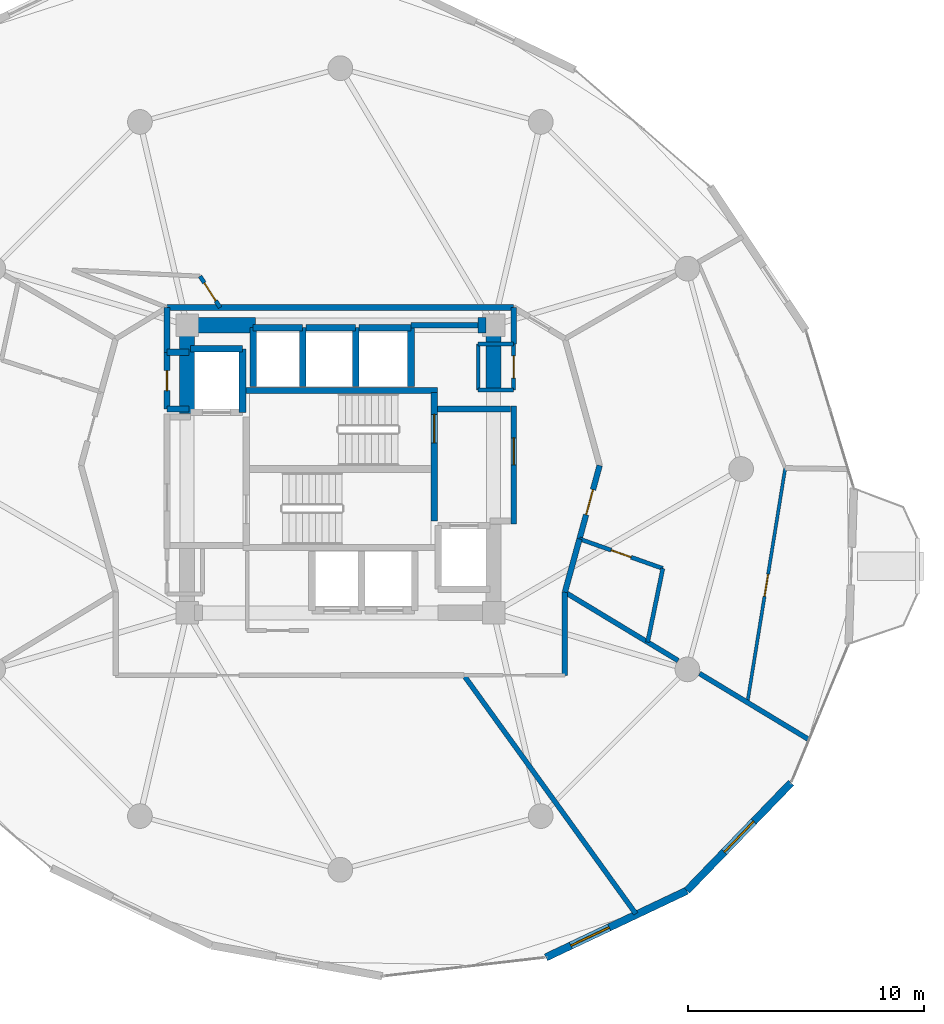
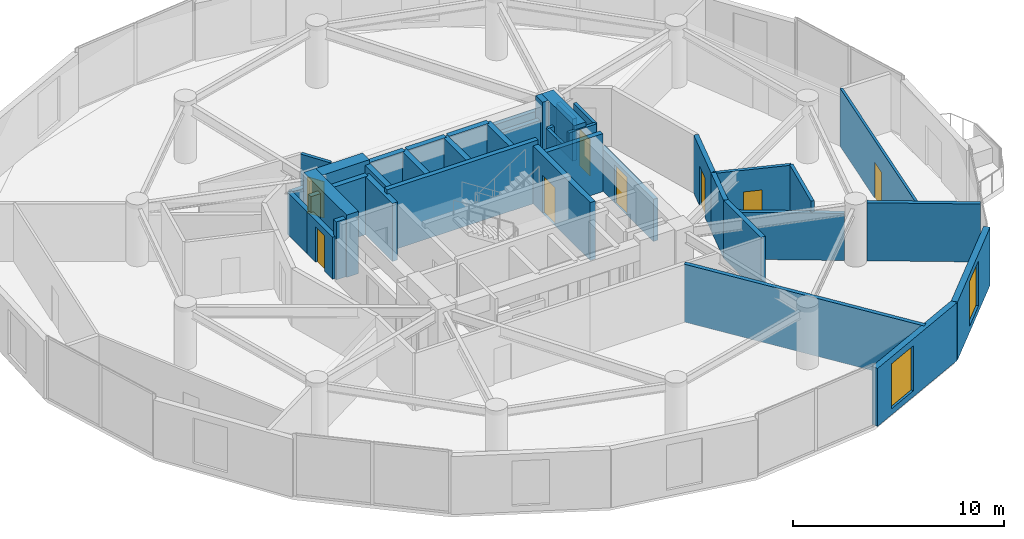
# One storey, part 22 of 26: 40 walls, 8 doors, 2 windows, 10 openings.
"""IFC4 building model written with IfcOpenShell, lengths in metres."""

from ifc_helpers import new_model, si_unit, direction, frame, frame_2d, origin, place, context, subcontext, project, spatial, rectangle, extrude, material, layer, layer_set, type_object, element, fill, save


model = new_model("IFC4")

# Units and contexts
model_context = context("Model", 3, precision=1e-05, world=origin(), true_north=direction((0.0, 1.0)))
body_context = subcontext(model_context, "Body", "Model", "MODEL_VIEW")
ifc_project = project(units=[si_unit("LENGTHUNIT", "METRE"), si_unit("AREAUNIT", "SQUARE_METRE"), si_unit("VOLUMEUNIT", "CUBIC_METRE"), si_unit("PLANEANGLEUNIT", "RADIAN"), si_unit("MASSUNIT", "GRAM", prefix="KILO")], contexts=[model_context])

# Site, building, storey
site_placement = place(None, origin())
site = spatial("IfcSite", under=ifc_project, at=site_placement, CompositionType="ELEMENT")
building_placement = place(site_placement, origin())
building = spatial("IfcBuilding", under=site, at=building_placement, Name="Solvirekh Grand Hotel", CompositionType="ELEMENT")
storey_placement = place(building_placement, frame((0.0, 0.0, 113.39990234375)))
storey = spatial("IfcBuildingStorey", under=building, at=storey_placement, Name="L28", CompositionType="ELEMENT", Elevation=113.39990234375)

# Walls
ifc_material_1 = material(Name="Concrete C50/60", Category="concrete")
ifc_layer_1 = layer(ifc_material_1, 0.35009765625)
ifc_layer_set_1 = layer_set([ifc_layer_1], Name="Concrete C50/60")
wall_type_1 = type_object("IfcWallType", Name="CoreDivWall_RC350", PredefinedType="SOLIDWALL", material=ifc_layer_set_1)
wall_1_placement = place(storey_placement, frame((-4.1298828125, 3.324951171875, 0.0), z_axis=(0.0, 0.0, 1.0), x_axis=(1.0, 0.0, 0.0)))
element("IfcWall", 1, at=wall_1_placement, inside=storey, type_object=wall_type_1, Name="L28 core stair box wall ST-N", PredefinedType="SOLIDWALL", context=body_context, shape_type="SweptSolid", body=[
    extrude(rectangle(XDim=8.259765625, YDim=0.25, at=frame_2d((4.1298828125, 0.0))), origin(), (0.0, 0.0, 1.0), 3.60009765625),
])
ifc_material_2 = material(Name="Concrete C40/50", Category="concrete")
ifc_layer_2 = layer(ifc_material_2, 0.280029296875)
ifc_layer_set_2 = layer_set([ifc_layer_2], Name="Concrete C40/50")
wall_type_2 = type_object("IfcWallType", Name="CoreShaftWall_RC280", PredefinedType="SOLIDWALL", material=ifc_layer_set_2)
wall_2_placement = place(storey_placement, frame((-1.60009765625, 6.0, 0.0), z_axis=(0.0, 0.0, 1.0), x_axis=(-1.0, 0.0, 0.0)))
element("IfcWall", 2, at=wall_2_placement, inside=storey, type_object=wall_type_2, Name="L28 HP-1 hoistway N wall", PredefinedType="SOLIDWALL", context=body_context, shape_type="SweptSolid", body=[
    extrude(rectangle(XDim=2.099853515625, YDim=0.280029296875, at=frame_2d((1.0498046875, 0.0))), origin(), (0.0, 0.0, 1.0), 3.35009765625),
])
for number, where, z_axis, x_axis, name in (
    (3, (-3.699951171875, 6.0, 0.0), (0.0, 0.0, 1.0), (0.0, -1.0, 0.0), "L28 HP-1 hoistway W wall"),
    (4, (-1.60009765625, 3.5, 0.0), (0.0, 0.0, 1.0), (0.0, 1.0, 0.0), "L28 HP-1 hoistway E wall"),
):
    element("IfcWall", number, at=place(storey_placement, frame(where, z_axis=z_axis, x_axis=x_axis)), inside=storey, type_object=wall_type_2, Name=name, PredefinedType="SOLIDWALL", context=body_context, shape_type="SweptSolid", body=[
        extrude(rectangle(XDim=2.5, YDim=0.280029296875, at=frame_2d((1.25, 0.0))), origin(), (0.0, 0.0, 1.0), 3.35009765625),
    ])
wall_3_placement = place(storey_placement, frame((0.64990234375, 6.0, 0.0), z_axis=(0.0, 0.0, 1.0), x_axis=(-1.0, 0.0, 0.0)))
element("IfcWall", 5, at=wall_3_placement, inside=storey, type_object=wall_type_2, Name="L28 HP-2 hoistway N wall", PredefinedType="SOLIDWALL", context=body_context, shape_type="SweptSolid", body=[
    extrude(rectangle(XDim=2.099853515625, YDim=0.280029296875, at=frame_2d((1.0498046875, 0.0))), origin(), (0.0, 0.0, 1.0), 3.35009765625),
])
wall_4_placement = place(storey_placement, frame((0.64990234375, 3.5, 0.0), z_axis=(0.0, 0.0, 1.0), x_axis=(0.0, 1.0, 0.0)))
element("IfcWall", 6, at=wall_4_placement, inside=storey, type_object=wall_type_2, Name="L28 HP-2 hoistway E wall", PredefinedType="SOLIDWALL", context=body_context, shape_type="SweptSolid", body=[
    extrude(rectangle(XDim=2.5, YDim=0.280029296875, at=frame_2d((1.25, 0.0))), origin(), (0.0, 0.0, 1.0), 3.35009765625),
])
wall_5_placement = place(storey_placement, frame((3.0, 6.0, 0.0), z_axis=(0.0, 0.0, 1.0), x_axis=(-1.0, 0.0, 0.0)))
element("IfcWall", 7, at=wall_5_placement, inside=storey, type_object=wall_type_2, Name="L28 EX-1 hoistway N wall", PredefinedType="SOLIDWALL", context=body_context, shape_type="SweptSolid", body=[
    extrude(rectangle(XDim=2.199951171875, YDim=0.280029296875, at=frame_2d((1.10009765625, 0.0))), origin(), (0.0, 0.0, 1.0), 3.35009765625),
])
wall_6_placement = place(storey_placement, frame((3.0, 3.5, 0.0), z_axis=(0.0, 0.0, 1.0), x_axis=(0.0, 1.0, 0.0)))
element("IfcWall", 8, at=wall_6_placement, inside=storey, type_object=wall_type_2, Name="L28 EX-1 hoistway E wall", PredefinedType="SOLIDWALL", context=body_context, shape_type="SweptSolid", body=[
    extrude(rectangle(XDim=2.5, YDim=0.280029296875, at=frame_2d((1.25, 0.0))), origin(), (0.0, 0.0, 1.0), 3.35009765625),
])
wall_7_placement = place(storey_placement, frame((-4.14990234375, 5.10009765625, 0.0), z_axis=(0.0, 0.0, 1.0), x_axis=(-1.0, 0.0, 0.0)))
element("IfcWall", 9, at=wall_7_placement, inside=storey, type_object=wall_type_2, Name="L28 FL-1 hoistway N wall", PredefinedType="SOLIDWALL", context=body_context, shape_type="SweptSolid", body=[
    extrude(rectangle(XDim=2.2001953125, YDim=0.280029296875, at=frame_2d((1.10009765625, 0.0))), origin(), (0.0, 0.0, 1.0), 3.35009765625),
])
wall_8_placement = place(storey_placement, frame((-4.14990234375, 2.39990234375, 0.0), z_axis=(0.0, 0.0, 1.0), x_axis=(0.0, 1.0, 0.0)))
element("IfcWall", 10, at=wall_8_placement, inside=storey, type_object=wall_type_2, Name="L28 FL-1 hoistway E wall", PredefinedType="SOLIDWALL", context=body_context, shape_type="SweptSolid", body=[
    extrude(rectangle(XDim=2.7001953125, YDim=0.280029296875, at=frame_2d((1.35009765625, 0.0))), origin(), (0.0, 0.0, 1.0), 3.35009765625),
])

# Wall, opening, door
wall_9_placement = place(storey_placement, frame((3.989990234375, -2.2099609375, 0.0), z_axis=(0.0, 0.0, 1.0), x_axis=(0.0, 1.0, 0.0)))
wall_9 = element("IfcWall", 11, at=wall_9_placement, inside=storey, type_object=wall_type_2, Name="L28 east stair landing enclosure wall", PredefinedType="SOLIDWALL", context=body_context, shape_type="SweptSolid", body=[
    extrude(rectangle(XDim=5.4599609375, YDim=0.280029296875, at=frame_2d((2.72998046875, 0.0))), origin(), (0.0, 0.0, 1.0), 3.35009765625),
])
opening_1_placement = place(wall_9_placement, frame((3.322998046875, 0.0, 0.0)))
opening_1 = element("IfcOpeningElement", 12, at=opening_1_placement, cuts=wall_9, Name="Opening D05", PredefinedType="OPENING", context=body_context, shape_type="SweptSolid", body=[
    extrude(rectangle(XDim=1.199951171875, YDim=2.199951171875, at=frame_2d((0.60009765625, 1.10009765625))), frame((0.0, 0.14990234375, 0.0), z_axis=(0.0, -1.0, 0.0), x_axis=(1.0, 0.0, 0.0)), (0.0, 0.0, 1.0), 0.300048828125),
])
ifc_material_3 = material(Name="Fire-Rated Steel Door Assembly", Category="steel")
door_type_1 = type_object("IfcDoorType", Name="Door_StairCore_1200X2200", OperationType="NOTDEFINED", PredefinedType="DOOR", material=ifc_material_3)
door_1_placement = place(opening_1_placement, origin())
door_1 = element("IfcDoor", 13, at=door_1_placement, inside=storey, type_object=door_type_1, Name="L28 exit stair ST-2 fire door", OperationType="SINGLE_SWING_LEFT", OverallHeight=2.199951171875, OverallWidth=1.199951171875, PredefinedType="DOOR", context=body_context, shape_type="SweptSolid", body=[
    extrude(rectangle(XDim=1.199951171875, YDim=2.199951171875, at=frame_2d((0.60009765625, 1.10009765625))), frame((0.0, 0.02490234375, 0.0), z_axis=(0.0, -1.0, 0.0), x_axis=(1.0, 0.0, 0.0)), (0.0, 0.0, 1.0), 0.050048828125),
])
fill(opening_1, door_1)

# Walls
ifc_layer_3 = layer(ifc_material_1, 0.64990234375)
ifc_layer_set_3 = layer_set([ifc_layer_3], Name="Concrete C50/60")
wall_type_3 = type_object("IfcWallType", Name="CoreWall_RC650", PredefinedType="SHEAR", material=ifc_layer_set_3)
wall_10_placement = place(storey_placement, frame((-6.175048828125, 6.10009765625, 0.0), z_axis=(0.0, 0.0, 1.0), x_axis=(1.0, 0.0, 0.0)))
element("IfcWall", 14, at=wall_10_placement, inside=storey, type_object=wall_type_3, Name="L28 core corner shear wall NW-N", PredefinedType="SHEAR", context=body_context, shape_type="SweptSolid", body=[
    extrude(rectangle(XDim=2.574951171875, YDim=0.64990234375, at=frame_2d((1.28759765625, 0.0))), origin(), (0.0, 0.0, 1.0), 3.60009765625),
])
wall_11_placement = place(storey_placement, frame((5.85009765625, 6.10009765625, 0.0), z_axis=(0.0, 0.0, 1.0), x_axis=(1.0, 0.0, 0.0)))
element("IfcWall", 15, at=wall_11_placement, inside=storey, type_object=wall_type_3, Name="L28 core corner shear wall NE-N", PredefinedType="SHEAR", context=body_context, shape_type="SweptSolid", body=[
    extrude(rectangle(XDim=0.324951171875, YDim=0.64990234375, at=frame_2d((0.16259765625, 0.0))), origin(), (0.0, 0.0, 1.0), 3.60009765625),
])
wall_12_placement = place(storey_placement, frame((-6.5, 2.35009765625, 0.0), z_axis=(0.0, 0.0, 1.0), x_axis=(0.0, 1.0, 0.0)))
element("IfcWall", 16, at=wall_12_placement, inside=storey, type_object=wall_type_3, Name="L28 core corner shear wall WN-W", PredefinedType="SHEAR", context=body_context, shape_type="SweptSolid", body=[
    extrude(rectangle(XDim=4.074951171875, YDim=0.64990234375, at=frame_2d((2.03759765625, 0.0))), origin(), (0.0, 0.0, 1.0), 3.60009765625),
])
wall_13_placement = place(storey_placement, frame((6.5, 3.35009765625, 0.0), z_axis=(0.0, 0.0, 1.0), x_axis=(0.0, 1.0, 0.0)))
element("IfcWall", 17, at=wall_13_placement, inside=storey, type_object=wall_type_3, Name="L28 core corner shear wall EN-E", PredefinedType="SHEAR", context=body_context, shape_type="SweptSolid", body=[
    extrude(rectangle(XDim=3.074951171875, YDim=0.64990234375, at=frame_2d((1.53759765625, 0.0))), origin(), (0.0, 0.0, 1.0), 3.60009765625),
])

# Wall, opening, window
ifc_material_4 = material(Name="Precast concrete C45/55", Category="concrete")
ifc_layer_4 = layer(ifc_material_4, 0.320068359375)
ifc_layer_set_4 = layer_set([ifc_layer_4], Name="Precast concrete C45/55")
wall_type_4 = type_object("IfcWallType", Name="ExtLobbyWall_RC320", PredefinedType="SOLIDWALL", material=ifc_layer_set_4)
wall_14_placement = place(storey_placement, frame((14.697021484375, -17.886962890625, 0.0), z_axis=(0.0, 0.0, 1.0), x_axis=(-0.903862591662, -0.42782287853, 0.0)))
wall_14 = element("IfcWall", 18, at=wall_14_placement, inside=storey, type_object=wall_type_4, Name="L28 exterior structural wall chord 19", PredefinedType="SOLIDWALL", context=body_context, shape_type="SweptSolid", body=[
    extrude(rectangle(XDim=6.61279296875, YDim=0.320068359375, at=frame_2d((3.306396484375, 0.0))), origin(), (0.0, 0.0, 1.0), 3.35009765625),
])
opening_2_placement = place(wall_14_placement, frame((3.64306640625, 0.0, 0.35009765625)))
opening_2 = element("IfcOpeningElement", 19, at=opening_2_placement, cuts=wall_14, Name="Opening W02", PredefinedType="OPENING", context=body_context, shape_type="SweptSolid", body=[
    extrude(rectangle(XDim=1.800048828125, YDim=2.60009765625, at=frame_2d((0.89990234375, 1.300048828125))), frame((0.0, 0.169921875, 0.0), z_axis=(0.0, -1.0, 0.0), x_axis=(1.0, 0.0, 0.0)), (0.0, 0.0, 1.0), 0.340087890625),
])
ifc_material_5 = material(Name="Low-E Tinted Bronze Laminated Glass", Category="aluminium")
window_type = type_object("IfcWindowType", Name="Win_LobbyExt_1800X2600", PartitioningType="SINGLE_PANEL", PredefinedType="WINDOW", material=ifc_material_5)
window_1_placement = place(opening_2_placement, origin())
window_1 = element("IfcWindow", 20, at=window_1_placement, inside=storey, type_object=window_type, Name="L28 panoramic bronze-framed window 19", OverallHeight=2.60009765625, OverallWidth=1.800048828125, PartitioningType="SINGLE_PANEL", PredefinedType="WINDOW", context=body_context, shape_type="SweptSolid", body=[
    extrude(rectangle(XDim=1.800048828125, YDim=2.60009765625, at=frame_2d((0.89990234375, 1.300048828125))), frame((0.0, 0.030029296875, 0.0), z_axis=(0.0, -1.0, 0.0), x_axis=(1.0, 0.0, 0.0)), (0.0, 0.0, 1.0), 0.06005859375),
])
fill(opening_2, window_1)

wall_15_placement = place(storey_placement, frame((19.123046875, -13.306884765625, 0.0), z_axis=(0.0, 0.0, 1.0), x_axis=(-0.694909802273, -0.71909691051, 0.0)))
wall_15 = element("IfcWall", 21, at=wall_15_placement, inside=storey, type_object=wall_type_4, Name="L28 exterior structural wall chord 20", PredefinedType="SOLIDWALL", context=body_context, shape_type="SweptSolid", body=[
    extrude(rectangle(XDim=6.369140625, YDim=0.320068359375, at=frame_2d((3.1845703125, 0.0))), origin(), (0.0, 0.0, 1.0), 3.35009765625),
])
opening_3_placement = place(wall_15_placement, frame((2.284912109375, 0.0, 0.35009765625)))
opening_3 = element("IfcOpeningElement", 22, at=opening_3_placement, cuts=wall_15, Name="Opening W02", PredefinedType="OPENING", context=body_context, shape_type="SweptSolid", body=[
    extrude(rectangle(XDim=1.800048828125, YDim=2.60009765625, at=frame_2d((0.89990234375, 1.300048828125))), frame((0.0, 0.169921875, 0.0), z_axis=(0.0, -1.0, 0.0), x_axis=(1.0, 0.0, 0.0)), (0.0, 0.0, 1.0), 0.340087890625),
])
window_2_placement = place(opening_3_placement, origin())
window_2 = element("IfcWindow", 23, at=window_2_placement, inside=storey, type_object=window_type, Name="L28 panoramic bronze-framed window 20", OverallHeight=2.60009765625, OverallWidth=1.800048828125, PartitioningType="SINGLE_PANEL", PredefinedType="WINDOW", context=body_context, shape_type="SweptSolid", body=[
    extrude(rectangle(XDim=1.800048828125, YDim=2.60009765625, at=frame_2d((0.89990234375, 1.300048828125))), frame((0.0, 0.030029296875, 0.0), z_axis=(0.0, -1.0, 0.0), x_axis=(1.0, 0.0, 0.0)), (0.0, 0.0, 1.0), 0.06005859375),
])
fill(opening_3, window_2)

# Wall
ifc_material_6 = material(Name="Acoustic Gypsum Partition Assembly")
ifc_layer_5 = layer(ifc_material_6, 0.1650390625)
ifc_layer_set_5 = layer_set([ifc_layer_5], Name="Acoustic Gypsum Partition Assembly")
wall_type_5 = type_object("IfcWallType", Name="Part_BOH_165", PredefinedType="PARTITIONING", material=ifc_layer_set_5)
wall_16_placement = place(storey_placement, frame((5.85009765625, 3.35009765625, 0.0), z_axis=(0.0, 0.0, 1.0), x_axis=(1.0, 0.0, 0.0)))
element("IfcWall", 24, at=wall_16_placement, inside=storey, type_object=wall_type_5, Name="L28 L28 Core Housekeeping Room wall 1", PredefinedType="PARTITIONING", context=body_context, shape_type="SweptSolid", body=[
    extrude(rectangle(XDim=1.5, YDim=0.1650390625, at=frame_2d((0.75, 0.0))), origin(), (0.0, 0.0, 1.0), 3.35009765625),
])

# Wall, opening, door
wall_17_placement = place(storey_placement, frame((7.35009765625, 3.35009765625, 0.0), z_axis=(0.0, 0.0, 1.0), x_axis=(0.0, 1.0, 0.0)))
wall_17 = element("IfcWall", 25, at=wall_17_placement, inside=storey, type_object=wall_type_5, Name="L28 L28 Core Housekeeping Room wall 2", PredefinedType="PARTITIONING", context=body_context, shape_type="SweptSolid", body=[
    extrude(rectangle(XDim=1.949951171875, YDim=0.1650390625, at=frame_2d((0.97509765625, 0.0))), origin(), (0.0, 0.0, 1.0), 3.35009765625),
])
opening_4_placement = place(wall_17_placement, frame((0.5, 0.0, 0.0)))
opening_4 = element("IfcOpeningElement", 26, at=opening_4_placement, cuts=wall_17, Name="Opening D10", PredefinedType="OPENING", context=body_context, shape_type="SweptSolid", body=[
    extrude(rectangle(XDim=0.949951171875, YDim=2.10009765625, at=frame_2d((0.47509765625, 1.050048828125))), frame((0.0, 0.092529296875, 0.0), z_axis=(0.0, -1.0, 0.0), x_axis=(1.0, 0.0, 0.0)), (0.0, 0.0, 1.0), 0.18505859375),
])
ifc_material_7 = material(Name="Anodized Bronze Aluminium 6063-T6", Category="aluminium")
door_type_2 = type_object("IfcDoorType", Name="Door_RoomInt_950X2100", OperationType="NOTDEFINED", PredefinedType="DOOR", material=ifc_material_7)
door_2_placement = place(opening_4_placement, origin())
door_2 = element("IfcDoor", 27, at=door_2_placement, inside=storey, type_object=door_type_2, Name="L28 L28 Core Housekeeping Room door", OperationType="SINGLE_SWING_RIGHT", OverallHeight=2.10009765625, OverallWidth=0.949951171875, PredefinedType="DOOR", context=body_context, shape_type="SweptSolid", body=[
    extrude(rectangle(XDim=0.949951171875, YDim=2.10009765625, at=frame_2d((0.47509765625, 1.050048828125))), frame((0.0, 0.02490234375, 0.0), z_axis=(0.0, -1.0, 0.0), x_axis=(1.0, 0.0, 0.0)), (0.0, 0.0, 1.0), 0.050048828125),
])
fill(opening_4, door_2)

# Walls
wall_18_placement = place(storey_placement, frame((7.35009765625, 5.300048828125, 0.0), z_axis=(0.0, 0.0, 1.0), x_axis=(-1.0, 0.0, 0.0)))
element("IfcWall", 28, at=wall_18_placement, inside=storey, type_object=wall_type_5, Name="L28 L28 Core Housekeeping Room wall 3", PredefinedType="PARTITIONING", context=body_context, shape_type="SweptSolid", body=[
    extrude(rectangle(XDim=1.5, YDim=0.1650390625, at=frame_2d((0.75, 0.0))), origin(), (0.0, 0.0, 1.0), 2.43505859375),
])
wall_19_placement = place(storey_placement, frame((5.85009765625, 5.300048828125, 0.0), z_axis=(0.0, 0.0, 1.0), x_axis=(0.0, -1.0, 0.0)))
element("IfcWall", 29, at=wall_19_placement, inside=storey, type_object=wall_type_5, Name="L28 L28 Core Housekeeping Room wall 4", PredefinedType="PARTITIONING", context=body_context, shape_type="SweptSolid", body=[
    extrude(rectangle(XDim=1.949951171875, YDim=0.1650390625, at=frame_2d((0.97509765625, 0.0))), origin(), (0.0, 0.0, 1.0), 2.43505859375),
])

# Wall, opening, door
ifc_layer_6 = layer(ifc_material_6, 0.239990234375)
ifc_layer_set_6 = layer_set([ifc_layer_6], Name="Acoustic Gypsum Partition Assembly")
wall_type_6 = type_object("IfcWallType", Name="Part_Corridor_240", PredefinedType="PARTITIONING", material=ifc_layer_set_6)
wall_20_placement = place(storey_placement, frame((7.35009765625, -2.340087890625, 0.0), z_axis=(0.0, 0.0, 1.0), x_axis=(0.0, 1.0, 0.0)))
wall_20 = element("IfcWall", 30, at=wall_20_placement, inside=storey, type_object=wall_type_6, Name="L28 east firefighting lobby smoke screen wall", PredefinedType="PARTITIONING", context=body_context, shape_type="SweptSolid", body=[
    extrude(rectangle(XDim=5.02001953125, YDim=0.239990234375, at=frame_2d((2.510009765625, 0.0))), origin(), (0.0, 0.0, 1.0), 2.43505859375),
])
opening_5_placement = place(wall_20_placement, frame((2.514892578125, 0.0, 0.0)))
opening_5 = element("IfcOpeningElement", 31, at=opening_5_placement, cuts=wall_20, Name="Opening D06", PredefinedType="OPENING", context=body_context, shape_type="SweptSolid", body=[
    extrude(rectangle(XDim=1.14990234375, YDim=2.199951171875, at=frame_2d((0.574951171875, 1.10009765625))), frame((0.0, 0.1298828125, 0.0), z_axis=(0.0, -1.0, 0.0), x_axis=(1.0, 0.0, 0.0)), (0.0, 0.0, 1.0), 0.260009765625),
])
door_type_3 = type_object("IfcDoorType", Name="Door_FFLobby_1150X2200", OperationType="NOTDEFINED", PredefinedType="DOOR", material=ifc_material_3)
door_3_placement = place(opening_5_placement, origin())
door_3 = element("IfcDoor", 32, at=door_3_placement, inside=storey, type_object=door_type_3, Name="L28 east firefighting lobby smoke door", OperationType="SINGLE_SWING_LEFT", OverallHeight=2.199951171875, OverallWidth=1.14990234375, PredefinedType="DOOR", context=body_context, shape_type="SweptSolid", body=[
    extrude(rectangle(XDim=1.14990234375, YDim=2.199951171875, at=frame_2d((0.574951171875, 1.10009765625))), frame((0.0, 0.02490234375, 0.0), z_axis=(0.0, -1.0, 0.0), x_axis=(1.0, 0.0, 0.0)), (0.0, 0.0, 1.0), 0.050048828125),
])
fill(opening_5, door_3)

# Walls
wall_21_placement = place(storey_placement, frame((-7.35009765625, 6.85009765625, 0.0), z_axis=(0.0, 0.0, 1.0), x_axis=(1.0, 0.0, 0.0)))
element("IfcWall", 33, at=wall_21_placement, inside=storey, type_object=wall_type_6, Name="L28 north core backing partition", PredefinedType="PARTITIONING", context=body_context, shape_type="SweptSolid", body=[
    extrude(rectangle(XDim=14.7001953125, YDim=0.239990234375, at=frame_2d((7.35009765625, 0.0))), origin(), (0.0, 0.0, 1.0), 2.43505859375),
])
wall_22_placement = place(storey_placement, frame((-7.35009765625, 4.949951171875, 0.0), z_axis=(0.0, 0.0, 1.0), x_axis=(0.0, 1.0, 0.0)))
element("IfcWall", 34, at=wall_22_placement, inside=storey, type_object=wall_type_6, Name="L28 NW core cheek closure wall", PredefinedType="PARTITIONING", context=body_context, shape_type="SweptSolid", body=[
    extrude(rectangle(XDim=1.900146484375, YDim=0.239990234375, at=frame_2d((0.9501953125, 0.0))), origin(), (0.0, 0.0, 1.0), 2.43505859375),
])
wall_23_placement = place(storey_placement, frame((7.35009765625, 5.300048828125, 0.0), z_axis=(0.0, 0.0, 1.0), x_axis=(0.0, 1.0, 0.0)))
element("IfcWall", 35, at=wall_23_placement, inside=storey, type_object=wall_type_6, Name="L28 NE core cheek closure wall", PredefinedType="PARTITIONING", context=body_context, shape_type="SweptSolid", body=[
    extrude(rectangle(XDim=1.550048828125, YDim=0.239990234375, at=frame_2d((0.77490234375, 0.0))), origin(), (0.0, 0.0, 1.0), 2.43505859375),
])
wall_24_placement = place(storey_placement, frame((3.0, 6.10009765625, 0.0), z_axis=(0.0, 0.0, 1.0), x_axis=(1.0, 0.0, 0.0)))
element("IfcWall", 36, at=wall_24_placement, inside=storey, type_object=wall_type_6, Name="L28 north core shaft infill wall", PredefinedType="PARTITIONING", context=body_context, shape_type="SweptSolid", body=[
    extrude(rectangle(XDim=2.85009765625, YDim=0.239990234375, at=frame_2d((1.425048828125, 0.0))), origin(), (0.0, 0.0, 1.0), 2.43505859375),
])
wall_25_placement = place(storey_placement, frame((9.52587890625, -5.22509765625, 0.0), z_axis=(0.0, 0.0, 1.0), x_axis=(0.264431780812, 0.964404393031, 0.0)))
element("IfcWall", 37, at=wall_25_placement, inside=storey, type_object=wall_type_6, Name="L28 En-suite Bathroom 3003 corridor backing wall", PredefinedType="PARTITIONING", context=body_context, shape_type="SweptSolid", body=[
    extrude(rectangle(XDim=2.34130859375, YDim=0.239990234375, at=frame_2d((1.170654296875, 0.0))), origin(), (0.0, 0.0, 1.0), 3.35009765625),
])

# Wall, opening, door
wall_26_placement = place(storey_placement, frame((10.14501953125, -2.967041015625, 0.0), z_axis=(0.0, 0.0, 1.0), x_axis=(0.264529660797, 0.9643775498, 0.0)))
wall_26 = element("IfcWall", 38, at=wall_26_placement, inside=storey, type_object=wall_type_6, Name="L28 Executive Suite 3003 Living Room entrance wall", PredefinedType="PARTITIONING", context=body_context, shape_type="SweptSolid", body=[
    extrude(rectangle(XDim=3.232177734375, YDim=0.239990234375, at=frame_2d((1.6162109375, 0.0))), origin(), (0.0, 0.0, 1.0), 3.35009765625),
])
opening_6_placement = place(wall_26_placement, frame((1.06591796875, 0.0, 0.0)))
opening_6 = element("IfcOpeningElement", 39, at=opening_6_placement, cuts=wall_26, Name="Opening D08", PredefinedType="OPENING", context=body_context, shape_type="SweptSolid", body=[
    extrude(rectangle(XDim=1.10009765625, YDim=2.300048828125, at=frame_2d((0.550048828125, 1.14990234375))), frame((0.0, 0.1298828125, 0.0), z_axis=(0.0, -1.0, 0.0), x_axis=(1.0, 0.0, 0.0)), (0.0, 0.0, 1.0), 0.260009765625),
])
door_type_4 = type_object("IfcDoorType", Name="Door_SuiteEntry_1100X2300", OperationType="NOTDEFINED", PredefinedType="DOOR", material=ifc_material_3)
door_4_placement = place(opening_6_placement, origin())
door_4 = element("IfcDoor", 40, at=door_4_placement, inside=storey, type_object=door_type_4, Name="L28 Executive Suite 3003 Living Room entrance door", OperationType="SINGLE_SWING_LEFT", OverallHeight=2.300048828125, OverallWidth=1.10009765625, PredefinedType="DOOR", context=body_context, shape_type="SweptSolid", body=[
    extrude(rectangle(XDim=1.10009765625, YDim=2.300048828125, at=frame_2d((0.550048828125, 1.14990234375))), frame((0.0, 0.02490234375, 0.0), z_axis=(0.0, -1.0, 0.0), x_axis=(1.0, 0.0, 0.0)), (0.0, 0.0, 1.0), 0.050048828125),
])
fill(opening_6, door_4)

# Walls
wall_27_placement = place(storey_placement, frame((9.52587890625, -8.75, 0.0), z_axis=(0.0, 0.0, 1.0), x_axis=(0.0, 1.0, 0.0)))
element("IfcWall", 41, at=wall_27_placement, inside=storey, type_object=wall_type_6, Name="L28 L28 Butler Valet & Linen Steward Room corridor wall 1", PredefinedType="PARTITIONING", context=body_context, shape_type="SweptSolid", body=[
    extrude(rectangle(XDim=3.52490234375, YDim=0.239990234375, at=frame_2d((1.762451171875, 0.0))), origin(), (0.0, 0.0, 1.0), 3.35009765625),
])
ifc_layer_7 = layer(ifc_material_6, 0.260009765625)
ifc_layer_set_7 = layer_set([ifc_layer_7], Name="Acoustic Gypsum Partition Assembly")
wall_type_7 = type_object("IfcWallType", Name="Part_LobbyFF_260", PredefinedType="PARTITIONING", material=ifc_layer_set_7)
wall_28_placement = place(storey_placement, frame((4.1298828125, 2.550048828125, 0.0), z_axis=(0.0, 0.0, 1.0), x_axis=(1.0, 0.0, 0.0)))
element("IfcWall", 42, at=wall_28_placement, inside=storey, type_object=wall_type_7, Name="L28 east firefighting lobby north partition", PredefinedType="PARTITIONING", context=body_context, shape_type="SweptSolid", body=[
    extrude(rectangle(XDim=3.09521484375, YDim=0.260009765625, at=frame_2d((1.547607421875, 0.0))), origin(), (0.0, 0.0, 1.0), 3.35009765625),
])
for number, where, z_axis, x_axis, name in (
    (43, (-7.35009765625, 4.949951171875, 0.0), (0.0, 0.0, 1.0), (1.0, 0.0, 0.0), "L28 NW telecom metering cupboard north wall"),
    (44, (-7.35009765625, 2.550048828125, 0.0), (0.0, 0.0, 1.0), (1.0, 0.0, 0.0), "L28 NW telecom metering cupboard south wall"),
):
    element("IfcWall", number, at=place(storey_placement, frame(where, z_axis=z_axis, x_axis=x_axis)), inside=storey, type_object=wall_type_7, Name=name, PredefinedType="PARTITIONING", context=body_context, shape_type="SweptSolid", body=[
        extrude(rectangle(XDim=0.93017578125, YDim=0.260009765625, at=frame_2d((0.465087890625, 0.0))), origin(), (0.0, 0.0, 1.0), 3.35009765625),
    ])

# Wall, opening, door
wall_29_placement = place(storey_placement, frame((-7.35009765625, 2.550048828125, 0.0), z_axis=(0.0, 0.0, 1.0), x_axis=(0.0, 1.0, 0.0)))
wall_29 = element("IfcWall", 45, at=wall_29_placement, inside=storey, type_object=wall_type_7, Name="L28 NW telecom metering cupboard access wall", PredefinedType="PARTITIONING", context=body_context, shape_type="SweptSolid", body=[
    extrude(rectangle(XDim=2.39990234375, YDim=0.260009765625, at=frame_2d((1.199951171875, 0.0))), origin(), (0.0, 0.0, 1.0), 2.43505859375),
])
opening_7_placement = place(wall_29_placement, frame((0.77490234375, 0.0, 0.0)))
opening_7 = element("IfcOpeningElement", 46, at=opening_7_placement, cuts=wall_29, Name="Opening D13", PredefinedType="OPENING", context=body_context, shape_type="SweptSolid", body=[
    extrude(rectangle(XDim=0.85009765625, YDim=2.050048828125, at=frame_2d((0.425048828125, 1.02490234375))), frame((0.0, 0.14013671875, 0.0), z_axis=(0.0, -1.0, 0.0), x_axis=(1.0, 0.0, 0.0)), (0.0, 0.0, 1.0), 0.280029296875),
])
door_type_5 = type_object("IfcDoorType", Name="Door_RiserShaft_850X2050", OperationType="NOTDEFINED", PredefinedType="DOOR", material=ifc_material_3)
door_5_placement = place(opening_7_placement, origin())
door_5 = element("IfcDoor", 47, at=door_5_placement, inside=storey, type_object=door_type_5, Name="L28 telecom metering cupboard access door", OperationType="SINGLE_SWING_RIGHT", OverallHeight=2.050048828125, OverallWidth=0.85009765625, PredefinedType="DOOR", context=body_context, shape_type="SweptSolid", body=[
    extrude(rectangle(XDim=0.85009765625, YDim=2.050048828125, at=frame_2d((0.425048828125, 1.02490234375))), frame((0.0, 0.02490234375, 0.0), z_axis=(0.0, -1.0, 0.0), x_axis=(1.0, 0.0, 0.0)), (0.0, 0.0, 1.0), 0.050048828125),
])
fill(opening_7, door_5)

ifc_layer_8 = layer(ifc_material_6, 0.135009765625)
ifc_layer_set_8 = layer_set([ifc_layer_8], Name="Acoustic Gypsum Partition Assembly")
wall_type_8 = type_object("IfcWallType", Name="Part_RoomInt_135", PredefinedType="PARTITIONING", material=ifc_layer_set_8)
wall_30_placement = place(storey_placement, frame((17.26708984375, -9.89990234375, 0.0), z_axis=(0.0, 0.0, 1.0), x_axis=(0.159433733404, 0.987208632789, 0.0)))
wall_30 = element("IfcWall", 48, at=wall_30_placement, inside=storey, type_object=wall_type_8, Name="L28 Executive Suite 3003 Living Room bedroom screen wall", PredefinedType="PARTITIONING", context=body_context, shape_type="SweptSolid", body=[
    extrude(rectangle(XDim=10.066650390625, YDim=0.135009765625, at=frame_2d((5.033203125, 0.0))), origin(), (0.0, 0.0, 1.0), 3.35009765625),
])
opening_8_placement = place(wall_30_placement, frame((4.55810546875, 0.0, 0.0)))
opening_8 = element("IfcOpeningElement", 49, at=opening_8_placement, cuts=wall_30, Name="Opening D10", PredefinedType="OPENING", context=body_context, shape_type="SweptSolid", body=[
    extrude(rectangle(XDim=0.949951171875, YDim=2.10009765625, at=frame_2d((0.47509765625, 1.050048828125))), frame((0.0, 0.07763671875, 0.0), z_axis=(0.0, -1.0, 0.0), x_axis=(1.0, 0.0, 0.0)), (0.0, 0.0, 1.0), 0.155029296875),
])
door_6_placement = place(opening_8_placement, origin())
door_6 = element("IfcDoor", 50, at=door_6_placement, inside=storey, type_object=door_type_2, Name="L28 Executive Suite 3003 Living Room master bedroom door", OperationType="SINGLE_SWING_RIGHT", OverallHeight=2.10009765625, OverallWidth=0.949951171875, PredefinedType="DOOR", context=body_context, shape_type="SweptSolid", body=[
    extrude(rectangle(XDim=0.949951171875, YDim=2.10009765625, at=frame_2d((0.47509765625, 1.050048828125))), frame((0.0, 0.02490234375, 0.0), z_axis=(0.0, -1.0, 0.0), x_axis=(1.0, 0.0, 0.0)), (0.0, 0.0, 1.0), 0.050048828125),
])
fill(opening_8, door_6)

# Walls
ifc_layer_9 = layer(ifc_material_6, 0.2099609375)
ifc_layer_set_9 = layer_set([ifc_layer_9], Name="Acoustic Gypsum Partition Assembly")
wall_type_9 = type_object("IfcWallType", Name="Part_SuiteDemise_210", PredefinedType="PARTITIONING", material=ifc_layer_set_9)
wall_31_placement = place(storey_placement, frame((9.52587890625, -5.22509765625, 0.0), z_axis=(0.0, 0.0, 1.0), x_axis=(0.855972129744, -0.517021965782, 0.0)))
element("IfcWall", 51, at=wall_31_placement, inside=storey, type_object=wall_type_9, Name="L28 suite radial wall 12 (A)", PredefinedType="PARTITIONING", context=body_context, shape_type="SweptSolid", body=[
    extrude(rectangle(XDim=5.60888671875, YDim=0.2099609375, at=frame_2d((2.804443359375, 0.0))), origin(), (0.0, 0.0, 1.0), 2.718017578125),
])
wall_32_placement = place(storey_placement, frame((15.238037109375, -8.675048828125, 0.0), z_axis=(0.0, 0.0, 1.0), x_axis=(0.855964873526, -0.517033978854, 0.0)))
element("IfcWall", 52, at=wall_32_placement, inside=storey, type_object=wall_type_9, Name="L28 suite radial wall 12 (B)", PredefinedType="PARTITIONING", context=body_context, shape_type="SweptSolid", body=[
    extrude(rectangle(XDim=5.384521484375, YDim=0.2099609375, at=frame_2d((2.6923828125, 0.0))), origin(), (0.0, 0.0, 1.0), 3.35009765625),
])
wall_33_placement = place(storey_placement, frame((5.239013671875, -8.75, 0.0), z_axis=(0.0, 0.0, 1.0), x_axis=(0.584922274278, -0.811089349612, 0.0)))
element("IfcWall", 53, at=wall_33_placement, inside=storey, type_object=wall_type_9, Name="L28 L28 Chamber Music Conservatory dividing partition 1", PredefinedType="PARTITIONING", context=body_context, shape_type="SweptSolid", body=[
    extrude(rectangle(XDim=12.473388671875, YDim=0.2099609375, at=frame_2d((6.23681640625, 0.0))), origin(), (0.0, 0.0, 1.0), 3.35009765625),
])

# Wall, opening, door
ifc_layer_10 = layer(ifc_material_6, 0.175048828125)
ifc_layer_set_10 = layer_set([ifc_layer_10], Name="Acoustic Gypsum Partition Assembly")
wall_type_10 = type_object("IfcWallType", Name="Plumb_Ensuite_175", PredefinedType="PLUMBINGWALL", material=ifc_layer_set_10)
wall_34_placement = place(storey_placement, frame((-5.10009765625, 6.85009765625, 0.0), z_axis=(0.0, 0.0, 1.0), x_axis=(-0.539058090776, 0.84226858826, 0.0)))
wall_34 = element("IfcWall", 54, at=wall_34_placement, inside=storey, type_object=wall_type_10, Name="L28 En-suite Bathroom 3001 entry plumbing wall", PredefinedType="PLUMBINGWALL", context=body_context, shape_type="SweptSolid", body=[
    extrude(rectangle(XDim=1.57666015625, YDim=0.175048828125, at=frame_2d((0.788330078125, 0.0))), origin(), (0.0, 0.0, 1.0), 3.35009765625),
])
opening_9_placement = place(wall_34_placement, frame((0.337890625, 0.0, 0.0)))
opening_9 = element("IfcOpeningElement", 55, at=opening_9_placement, cuts=wall_34, Name="Opening D09", PredefinedType="OPENING", context=body_context, shape_type="SweptSolid", body=[
    extrude(rectangle(XDim=0.89990234375, YDim=2.10009765625, at=frame_2d((0.449951171875, 1.050048828125))), frame((0.0, 0.09765625, 0.0), z_axis=(0.0, -1.0, 0.0), x_axis=(1.0, 0.0, 0.0)), (0.0, 0.0, 1.0), 0.195068359375),
])
door_type_6 = type_object("IfcDoorType", Name="Door_Ensuite_900X2100", OperationType="NOTDEFINED", PredefinedType="DOOR", material=ifc_material_7)
door_7_placement = place(opening_9_placement, origin())
door_7 = element("IfcDoor", 56, at=door_7_placement, inside=storey, type_object=door_type_6, Name="L28 En-suite Bathroom 3001 door", OperationType="SINGLE_SWING_RIGHT", OverallHeight=2.10009765625, OverallWidth=0.89990234375, PredefinedType="DOOR", context=body_context, shape_type="SweptSolid", body=[
    extrude(rectangle(XDim=0.89990234375, YDim=2.10009765625, at=frame_2d((0.449951171875, 1.050048828125))), frame((0.0, 0.02490234375, 0.0), z_axis=(0.0, -1.0, 0.0), x_axis=(1.0, 0.0, 0.0)), (0.0, 0.0, 1.0), 0.050048828125),
])
fill(opening_9, door_7)

# Wall
wall_35_placement = place(storey_placement, frame((13.034912109375, -7.344970703125, 0.0), z_axis=(0.0, 0.0, 1.0), x_axis=(0.201730596841, 0.979441047893, 0.0)))
element("IfcWall", 57, at=wall_35_placement, inside=storey, type_object=wall_type_10, Name="L28 En-suite Bathroom 3003 outer plumbing wall", PredefinedType="PLUMBINGWALL", context=body_context, shape_type="SweptSolid", body=[
    extrude(rectangle(XDim=3.192626953125, YDim=0.175048828125, at=frame_2d((1.59619140625, 0.0))), origin(), (0.0, 0.0, 1.0), 3.35009765625),
])

# Wall, opening, door
wall_36_placement = place(storey_placement, frame((10.14501953125, -2.967041015625, 0.0), z_axis=(0.0, 0.0, 1.0), x_axis=(0.94267973016, -0.333698855775, 0.0)))
wall_36 = element("IfcWall", 58, at=wall_36_placement, inside=storey, type_object=wall_type_10, Name="L28 En-suite Bathroom 3003 entry plumbing wall", PredefinedType="PLUMBINGWALL", context=body_context, shape_type="SweptSolid", body=[
    extrude(rectangle(XDim=3.748779296875, YDim=0.175048828125, at=frame_2d((1.87451171875, 0.0))), origin(), (0.0, 0.0, 1.0), 3.35009765625),
])
opening_10_placement = place(wall_36_placement, frame((1.424072265625, 0.0, 0.0)))
opening_10 = element("IfcOpeningElement", 59, at=opening_10_placement, cuts=wall_36, Name="Opening D09", PredefinedType="OPENING", context=body_context, shape_type="SweptSolid", body=[
    extrude(rectangle(XDim=0.89990234375, YDim=2.10009765625, at=frame_2d((0.449951171875, 1.050048828125))), frame((0.0, 0.09765625, 0.0), z_axis=(0.0, -1.0, 0.0), x_axis=(1.0, 0.0, 0.0)), (0.0, 0.0, 1.0), 0.195068359375),
])
door_8_placement = place(opening_10_placement, origin())
door_8 = element("IfcDoor", 60, at=door_8_placement, inside=storey, type_object=door_type_6, Name="L28 En-suite Bathroom 3003 door", OperationType="SINGLE_SWING_RIGHT", OverallHeight=2.10009765625, OverallWidth=0.89990234375, PredefinedType="DOOR", context=body_context, shape_type="SweptSolid", body=[
    extrude(rectangle(XDim=0.89990234375, YDim=2.10009765625, at=frame_2d((0.449951171875, 1.050048828125))), frame((0.0, 0.02490234375, 0.0), z_axis=(0.0, -1.0, 0.0), x_axis=(1.0, 0.0, 0.0)), (0.0, 0.0, 1.0), 0.050048828125),
])
fill(opening_10, door_8)

save(model, "model.ifc")
